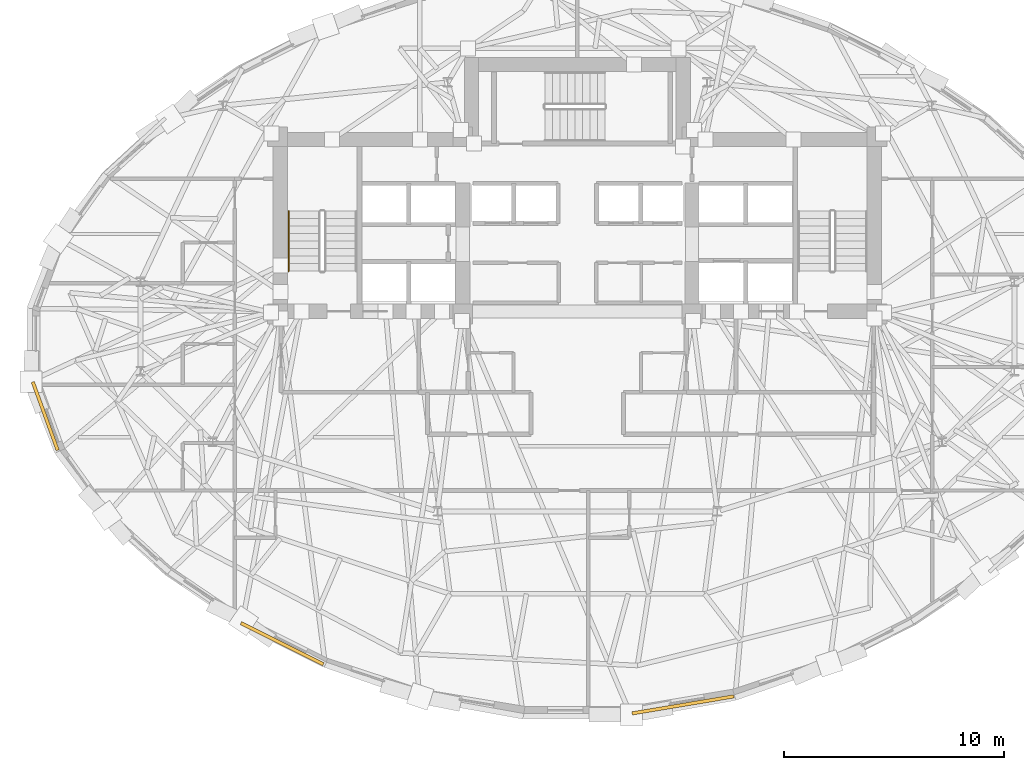
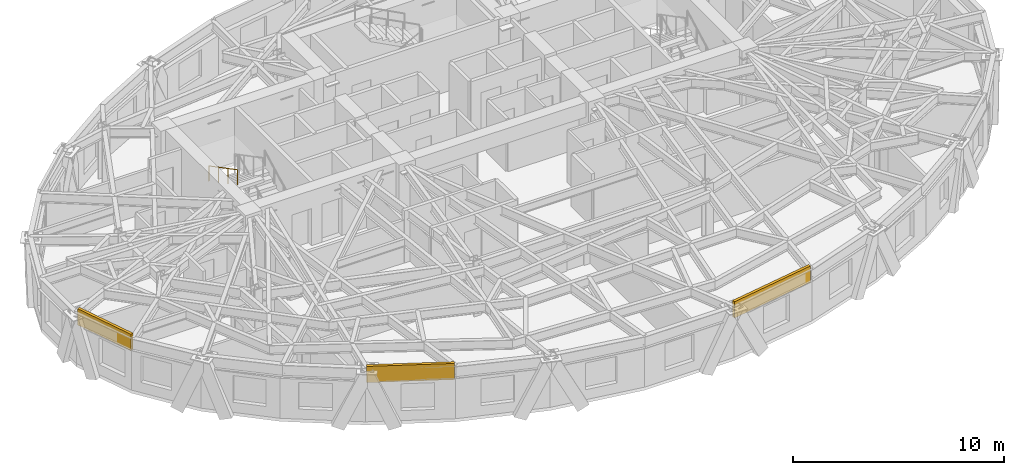
# One storey, part 11 of 14: 3 coverings, 1 railing.
"""IFC4 building model written with IfcOpenShell, lengths in metres."""

import ifcopenshell
import ifcopenshell.guid

model = None  # the IFC model being written
_history = None  # IfcOwnerHistory: only IFC2X3 demands one
_inside = {}  # id of a spatial element -> (the spatial element, [elements in it])
_under = {}  # id of a project, library or spatial element -> (it, [spatial elements below it])
_declared = {}  # id of a project -> (the project, [libraries it declares])
_typed = {}  # id of a type object -> (the type object, [elements of that type])
_made_of = {}  # id of a material, layer set ... -> (it, [elements and type objects made of it])


def new_model(schema):
    """Start an empty IFC model of exactly this schema.

    Asked for "IFC4X3", IfcOpenShell would pick the latest addendum, in which some entities
    have other attributes; the version numbers below select the first issue.
    IFC2X3 requires an IfcOwnerHistory on every rooted entity: one is made here for all.
    """
    global model, _history
    if schema == "IFC4X3":
        model = ifcopenshell.file(schema_version=(4, 3, 0, 0))
    else:
        model = ifcopenshell.file(schema=schema)
    _inside.clear()
    _under.clear()
    _declared.clear()
    _typed.clear()
    _made_of.clear()
    _history = None
    if model.schema == "IFC2X3":
        org = make("IfcOrganization", Name="unknown")
        user = make(
            "IfcPersonAndOrganization",
            ThePerson=make("IfcPerson", FamilyName="unknown"),
            TheOrganization=org,
        )
        app = make(
            "IfcApplication",
            ApplicationDeveloper=org,
            Version="unknown",
            ApplicationFullName="unknown",
            ApplicationIdentifier="unknown",
        )
        _history = make(
            "IfcOwnerHistory",
            OwningUser=user,
            OwningApplication=app,
            ChangeAction="ADDED",
            CreationDate=0,
        )
    return model


def make(cls, **values):
    """One entity of the class cls with the attributes given. An attribute that is None is left unset."""
    return model.create_entity(
        cls, **{name: value for name, value in values.items() if value is not None}
    )


def rooted(cls, **values):
    """An entity with a GlobalId (a new one), such as an element, a storey or a relation."""
    return make(cls, GlobalId=ifcopenshell.guid.new(), OwnerHistory=_history, **values)


def si_unit(unit_type, name, prefix=None):
    """IfcSIUnit, for example si_unit("LENGTHUNIT", "METRE", prefix="MILLI")."""
    return make("IfcSIUnit", UnitType=unit_type, Prefix=prefix, Name=name)


def assignment(units):
    """IfcUnitAssignment: the units of a project."""
    return None if units is None else make("IfcUnitAssignment", Units=units)


def point(xyz):
    """IfcCartesianPoint."""
    return None if xyz is None else make("IfcCartesianPoint", Coordinates=xyz)


def direction(xyz):
    """IfcDirection."""
    return None if xyz is None else make("IfcDirection", DirectionRatios=xyz)


def frame(location, z_axis=None, x_axis=None):
    """IfcAxis2Placement3D, a coordinate frame: its origin and axes. An axis left out is left unset."""
    return make(
        "IfcAxis2Placement3D",
        Location=point(location),
        Axis=direction(z_axis),
        RefDirection=direction(x_axis),
    )


def frame_2d(location, x_axis=None):
    """IfcAxis2Placement2D, a coordinate frame in the plane: its origin and x axis."""
    return make(
        "IfcAxis2Placement2D", Location=point(location), RefDirection=direction(x_axis)
    )


def origin():
    """The frame at (0, 0, 0) with its axes left unset."""
    return frame((0.0, 0.0, 0.0))


def origin_2d():
    """The frame at (0, 0) in the plane with its x axis left unset."""
    return frame_2d((0.0, 0.0))


def place(relative_to, where):
    """IfcLocalPlacement: puts the frame where relative to a parent placement (None: the world)."""
    return make(
        "IfcLocalPlacement", PlacementRelTo=relative_to, RelativePlacement=where
    )


def context(
    kind, dimensions, precision=None, world=None, true_north=None, identifier=None
):
    """IfcGeometricRepresentationContext, for example the 3D "Model" context."""
    return make(
        "IfcGeometricRepresentationContext",
        ContextIdentifier=identifier,
        ContextType=kind,
        CoordinateSpaceDimension=dimensions,
        Precision=precision,
        WorldCoordinateSystem=world,
        TrueNorth=true_north,
    )


def subcontext(parent, identifier, kind, view, scale=None):
    """IfcGeometricRepresentationSubContext, for example "Body" below "Model"."""
    return make(
        "IfcGeometricRepresentationSubContext",
        ContextIdentifier=identifier,
        ContextType=kind,
        ParentContext=parent,
        TargetScale=scale,
        TargetView=view,
    )


def project(units=None, contexts=None):
    """IfcProject with its units and contexts."""
    return rooted(
        "IfcProject",
        Name="project",
        RepresentationContexts=contexts,
        UnitsInContext=assignment(units),
    )


def spatial(cls, under=None, at=None, **own):
    """A site, building, storey or space (cls), placed at a placement, below another one or the project."""
    s = rooted(cls, ObjectPlacement=at, **own)
    if under is not None:
        _under.setdefault(under.id(), (under, []))[1].append(s)
    return s


def profile(cls, at=None, kind="AREA", **sizes):
    """A parametric profile (cls). Its sizes go by their IFC names, for example OverallWidth=200.0."""
    return make(cls, ProfileType=kind, Position=at, **sizes)


def rectangle(**sizes):
    """IfcRectangleProfileDef."""
    return profile("IfcRectangleProfileDef", **sizes)


def circle(**sizes):
    """IfcCircleProfileDef."""
    return profile("IfcCircleProfileDef", **sizes)


def extrude(swept, where, along, depth):
    """IfcExtrudedAreaSolid: the profile swept, set in the frame where, extruded along a direction by depth."""
    return make(
        "IfcExtrudedAreaSolid",
        SweptArea=swept,
        Position=where,
        ExtrudedDirection=direction(along),
        Depth=depth,
    )


def shape(context_of_items, identifier, shape_type, items):
    """IfcShapeRepresentation: the items that make up one representation, for example the "Body"."""
    return make(
        "IfcShapeRepresentation",
        ContextOfItems=context_of_items,
        RepresentationIdentifier=identifier,
        RepresentationType=shape_type,
        Items=items,
    )


def material(Name=None, Category=None):
    """IfcMaterial."""
    return make("IfcMaterial", Name=Name, Category=Category)


def layer(
    of_material, thickness, ventilated=None, Name=None, Category=None, Priority=None
):
    """IfcMaterialLayer: one layer of a wall or slab, of a material (None: an air gap)."""
    return make(
        "IfcMaterialLayer",
        Material=of_material,
        LayerThickness=thickness,
        IsVentilated=ventilated,
        Name=Name,
        Category=Category,
        Priority=Priority,
    )


def layer_set(layers, Name=None):
    """IfcMaterialLayerSet."""
    return make("IfcMaterialLayerSet", MaterialLayers=layers, LayerSetName=Name)


def made_of(thing, what):
    """Note that an element or type object is made of a material, layer set ...; save() writes the relation."""
    if what is not None:
        _made_of.setdefault(what.id(), (what, []))[1].append(thing)
    return thing


def type_object(cls, material=None, **own):
    """A type object (cls), such as IfcWallType, which elements share."""
    return made_of(rooted(cls, **own), material)


def element(
    cls,
    number,
    at=None,
    inside=None,
    cuts=None,
    type_object=None,
    material=None,
    context=None,
    identifier="Body",
    shape_type=None,
    held_by="IfcProductDefinitionShape",
    body=None,
    shapes=None,
    **own,
):
    """One element of the class cls, such as IfcWall. Its Tag is "e" and its number.

    at: its placement. inside: the storey or other place that contains it. cuts: it is an
    opening in that element (IfcRelVoidsElement). A single representation is given by context,
    identifier, shape_type and body (its items); several are given by shapes. held_by: the class
    of the entity that holds the representations. save() writes the other relations.
    """
    e = rooted(cls, Tag="e%d" % number, ObjectPlacement=at, **own)
    if body is not None:
        shapes = [shape(context, identifier, shape_type, body)]
    if shapes is not None:
        e.Representation = make(held_by, Representations=shapes)
    if inside is not None:
        _inside.setdefault(inside.id(), (inside, []))[1].append(e)
    if cuts is not None:
        rooted(
            "IfcRelVoidsElement", RelatingBuildingElement=cuts, RelatedOpeningElement=e
        )
    if type_object is not None:
        _typed.setdefault(type_object.id(), (type_object, []))[1].append(e)
    return made_of(e, material)


def aggregate(whole, parts):
    """IfcRelAggregates: a whole, such as a stair, and the parts it consists of."""
    return rooted("IfcRelAggregates", RelatingObject=whole, RelatedObjects=parts)


def save(model, path):
    """Write the relations noted so far, then the file.

    IfcRelAggregates (storeys below a building ...), IfcRelContainedInSpatialStructure (elements
    in a storey), IfcRelDefinesByType, IfcRelAssociatesMaterial and IfcRelDeclares: one each for
    every whole, place, type object, material and project.
    """
    for whole, parts in _under.values():
        aggregate(whole, parts)
    for where, things in _inside.values():
        rooted(
            "IfcRelContainedInSpatialStructure",
            RelatedElements=things,
            RelatingStructure=where,
        )
    for kind, things in _typed.values():
        rooted("IfcRelDefinesByType", RelatedObjects=things, RelatingType=kind)
    for what, things in _made_of.values():
        rooted("IfcRelAssociatesMaterial", RelatedObjects=things, RelatingMaterial=what)
    for by, libraries in _declared.values():
        rooted("IfcRelDeclares", RelatingContext=by, RelatedDefinitions=libraries)
    model.write(path)


model = new_model("IFC4")

# Units and contexts
model_context = context("Model", 3, precision=1e-05, world=origin(), true_north=direction((0.0, 1.0)))
body_context = subcontext(model_context, "Body", "Model", "MODEL_VIEW")
ifc_project = project(units=[si_unit("LENGTHUNIT", "METRE"), si_unit("AREAUNIT", "SQUARE_METRE"), si_unit("VOLUMEUNIT", "CUBIC_METRE"), si_unit("PLANEANGLEUNIT", "RADIAN"), si_unit("MASSUNIT", "GRAM", prefix="KILO")], contexts=[model_context])

# Site, building, storey
site_placement = place(None, origin())
site = spatial("IfcSite", under=ifc_project, at=site_placement, CompositionType="ELEMENT")
building_placement = place(site_placement, origin())
building = spatial("IfcBuilding", under=site, at=building_placement, Name="Keldmark Tower", CompositionType="ELEMENT")
storey_placement = place(building_placement, frame((0.0, 0.0, 172.60009765625)))
storey = spatial("IfcBuildingStorey", under=building, at=storey_placement, Name="L47", CompositionType="ELEMENT", Elevation=172.60009765625)

# Coverings
ifc_material_1 = material(Name="Honed Kasota Buff Dolomitic Limestone", Category="masonry")
ifc_layer = layer(ifc_material_1, 0.074951171875)
ifc_layer_set = layer_set([ifc_layer], Name="Honed Kasota Buff Dolomitic Limestone")
covering_type = type_object("IfcCoveringType", Name="Kasota Buff Limestone Spandrel Cladding Band", PredefinedType="CLADDING", material=ifc_layer_set)
covering_1_placement = place(storey_placement, frame((-24.14599609375, -3.224609375, 2.239013671875), z_axis=(0.0, 0.0, 1.0), x_axis=(0.341970940666, -0.939710527631, 0.0)))
element("IfcCovering", 1, at=covering_1_placement, inside=storey, type_object=covering_type, Name="L47 Kasota Limestone Spandrel Band 17", PredefinedType="CLADDING", context=body_context, shape_type="SweptSolid", body=[
    extrude(rectangle(XDim=3.294189453125, YDim=0.14990234375, at=origin_2d()), origin(), (0.0, 0.0, 1.0), 0.94091796875),
])
covering_2_placement = place(storey_placement, frame((-13.39599609375, -13.555908203125, 2.239013671875), z_axis=(0.0, 0.0, 1.0), x_axis=(0.894427590455, -0.44721279659, 0.0)))
element("IfcCovering", 2, at=covering_2_placement, inside=storey, type_object=covering_type, Name="L47 Kasota Limestone Spandrel Band 21", PredefinedType="CLADDING", context=body_context, shape_type="SweptSolid", body=[
    extrude(rectangle(XDim=4.1767578125, YDim=0.14990234375, at=origin_2d()), origin(), (0.0, 0.0, 1.0), 0.94091796875),
])
covering_3_placement = place(storey_placement, frame((4.794189453125, -16.330078125, 2.239013671875), z_axis=(0.0, 0.0, 1.0), x_axis=(0.986302879874, 0.164944321369, 0.0)))
element("IfcCovering", 3, at=covering_3_placement, inside=storey, type_object=covering_type, Name="L47 Kasota Limestone Spandrel Band 25", PredefinedType="CLADDING", context=body_context, shape_type="SweptSolid", body=[
    extrude(rectangle(XDim=4.6787109375, YDim=0.14990234375, at=origin_2d()), origin(), (0.0, 0.0, 1.0), 0.94091796875),
])

# Railing
ifc_material_2 = material(Name="Stainless Steel AISI 316L", Category="steel")
railing_type = type_object("IfcRailingType", Name="Stainless Steel Stair Handrail 900 mm", PredefinedType="HANDRAIL", material=ifc_material_2)
railing_placement = place(storey_placement, frame((-13.10009765625, 6.070068359375, 1.777587890625)))
element("IfcRailing", 4, at=railing_placement, inside=storey, type_object=railing_type, Name="L47 ST1 stair handrail 2", PredefinedType="HANDRAIL", context=body_context, shape_type="SweptSolid", body=[
    extrude(circle(Radius=0.02392578125, at=origin_2d()), frame((0.0, 0.0, 0.8759765625), z_axis=(0.0, -0.886150474775, 0.463397600399), x_axis=(1.0, 0.0, 0.0)), (0.0, 0.0, 1.0), 3.0693359375),
    extrude(circle(Radius=0.02099609375, at=origin_2d()), origin(), (0.0, 0.0, 1.0), 0.851806640625),
    extrude(circle(Radius=0.02099609375, at=origin_2d()), frame((0.0, -0.90673828125, 0.47412109375)), (0.0, 0.0, 1.0), 0.851806640625),
    extrude(circle(Radius=0.02099609375, at=origin_2d()), frame((0.0, -1.813232421875, 0.9482421875)), (0.0, 0.0, 1.0), 0.851806640625),
    extrude(circle(Radius=0.02099609375, at=origin_2d()), frame((0.0, -2.719970703125, 1.42236328125)), (0.0, 0.0, 1.0), 0.851806640625),
])

save(model, "model.ifc")
